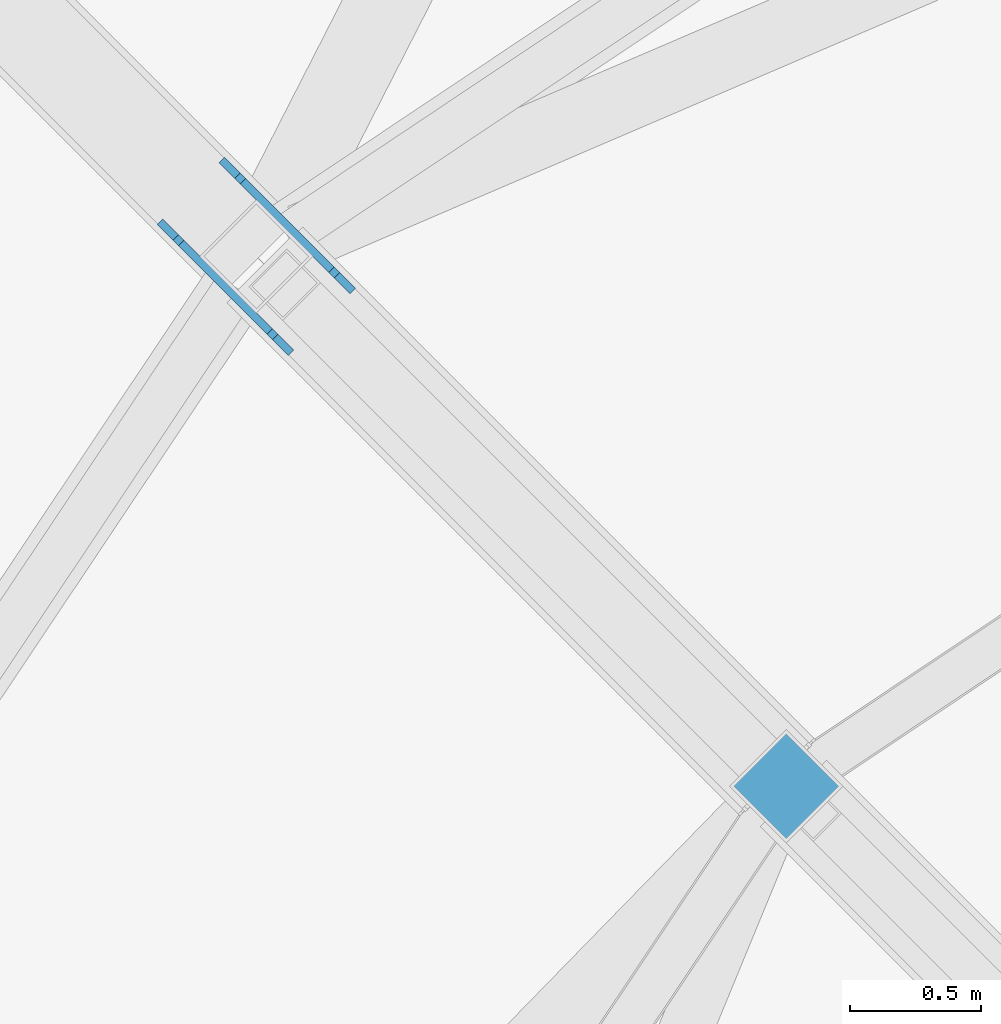
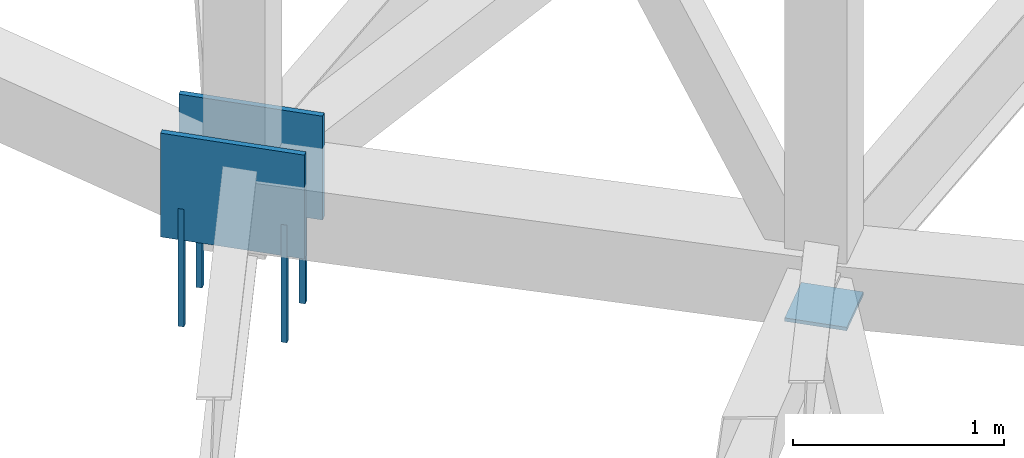
# One storey, part 220 of 278: 4 mechanical fasteners, 3 discrete accessories.
"""IFC4 building model written with IfcOpenShell, lengths in metres."""

from ifc_helpers import new_model, si_unit, direction, frame, origin, origin_2d, place, context, subcontext, project, spatial, rectangle, extrude, material, layer, layer_set, type_object, element, save


model = new_model("IFC4")

# Units and contexts
model_context = context("Model", 3, precision=1e-05, world=origin(), true_north=direction((0.0, 1.0)))
body_context = subcontext(model_context, "Body", "Model", "MODEL_VIEW")
ifc_project = project(units=[si_unit("LENGTHUNIT", "METRE"), si_unit("AREAUNIT", "SQUARE_METRE"), si_unit("VOLUMEUNIT", "CUBIC_METRE"), si_unit("PLANEANGLEUNIT", "RADIAN"), si_unit("MASSUNIT", "GRAM", prefix="KILO")], contexts=[model_context])

# Site, building, storey
site_placement = place(None, origin())
site = spatial("IfcSite", under=ifc_project, at=site_placement, CompositionType="ELEMENT")
building_placement = place(site_placement, origin())
building = spatial("IfcBuilding", under=site, at=building_placement, Name="Ogive Plaza Stadium", CompositionType="ELEMENT")
storey_placement = place(building_placement, frame((0.0, 0.0, 29.0)))
storey = spatial("IfcBuildingStorey", under=building, at=storey_placement, Name="Roof", CompositionType="ELEMENT", Elevation=29.0)

# Mechanical fasteners
ifc_material_1 = material(Name="Steel ASTM A992 Grade 50", Category="steel")
mechanical_fastener_type = type_object("IfcMechanicalFastenerType", Name="Anchor bolt M30 x 600", PredefinedType="ANCHORBOLT", material=ifc_material_1)
for number, where, z_axis, x_axis, name in (
    (1, (-62.580322265625, 80.84521484375, -0.5), (0.0, 0.0, 1.0), (-0.707106781187, 0.707106781187, 0.0), "ANCHOR BOLT 30 BP 1.1"),
    (2, (-62.223388671875, 80.488037109375, -0.5), (0.0, 0.0, 1.0), (-0.707106781187, 0.707106781187, 0.0), "ANCHOR BOLT 30 BP 1.2"),
    (3, (-62.34521484375, 81.080322265625, -0.5), (0.0, 0.0, 1.0), (-0.707106781187, 0.707106781187, 0.0), "ANCHOR BOLT 30 BP 2.1"),
    (4, (-61.988037109375, 80.723388671875, -0.5), (0.0, 0.0, 1.0), (-0.707106781187, 0.707106781187, 0.0), "ANCHOR BOLT 30 BP 2.2"),
):
    element("IfcMechanicalFastener", number, at=place(storey_placement, frame(where, z_axis=z_axis, x_axis=x_axis)), inside=storey, type_object=mechanical_fastener_type, Name=name, PredefinedType="ANCHORBOLT", context=body_context, shape_type="SweptSolid", body=[
        extrude(rectangle(XDim=0.030029296875, YDim=0.030029296875, at=origin_2d()), origin(), (0.0, 0.0, 1.0), 0.679931640625),
    ])

# Discrete accessories
ifc_material_2 = material(Name="Steel ASTM A992 Grade 50", Category="steel")
ifc_layer_1 = layer(ifc_material_2, 0.02001953125)
ifc_layer_set_1 = layer_set([ifc_layer_1], Name="Steel ASTM A992 Grade 50")
discrete_accessory_type_1 = type_object("IfcDiscreteAccessoryType", Name="Roof truss post cap plate 20", PredefinedType="ANCHORPLATE", material=ifc_layer_set_1)
discrete_accessory_placement = place(storey_placement, frame((-60.26904296875, 78.76904296875, 0.04541015625), z_axis=(0.0, 0.0, 1.0), x_axis=(-0.707106781187, 0.707106781187, 0.0)))
element("IfcDiscreteAccessory", 5, at=discrete_accessory_placement, inside=storey, type_object=discrete_accessory_type_1, Name="ROOF TRUSS POST CAP PLATE 30 10", PredefinedType="ANCHORPLATE", context=body_context, shape_type="SweptSolid", body=[
    extrude(rectangle(XDim=0.3046875, YDim=0.3046875, at=origin_2d()), origin(), (0.0, 0.0, 1.0), 0.02001953125),
])
ifc_material_3 = material(Name="Steel ASTM A992 Grade 50", Category="steel")
ifc_layer_2 = layer(ifc_material_3, 0.030029296875)
ifc_layer_set_2 = layer_set([ifc_layer_2], Name="Steel ASTM A992 Grade 50")
discrete_accessory_type_2 = type_object("IfcDiscreteAccessoryType", Name="Truss root foot cleat plate 30", PredefinedType="ANCHORPLATE", material=ifc_layer_set_2)
for number, where, z_axis, x_axis, name in (
    (6, (-62.40185546875, 80.66650390625, 0.0), (0.0, 0.0, 1.0), (-0.707106781187, 0.707106781187, 0.0), "TRUSS ROOT FOOT CLEAT PLATE 30 1"),
    (7, (-62.16650390625, 80.90185546875, 0.0), (0.0, 0.0, 1.0), (-0.707106781187, 0.707106781187, 0.0), "TRUSS ROOT FOOT CLEAT PLATE 30 2"),
):
    element("IfcDiscreteAccessory", number, at=place(storey_placement, frame(where, z_axis=z_axis, x_axis=x_axis)), inside=storey, type_object=discrete_accessory_type_2, Name=name, PredefinedType="ANCHORPLATE", context=body_context, shape_type="SweptSolid", body=[
        extrude(rectangle(XDim=0.704833984375, YDim=0.030029296875, at=origin_2d()), origin(), (0.0, 0.0, 1.0), 0.60009765625),
    ])

save(model, "model.ifc")
